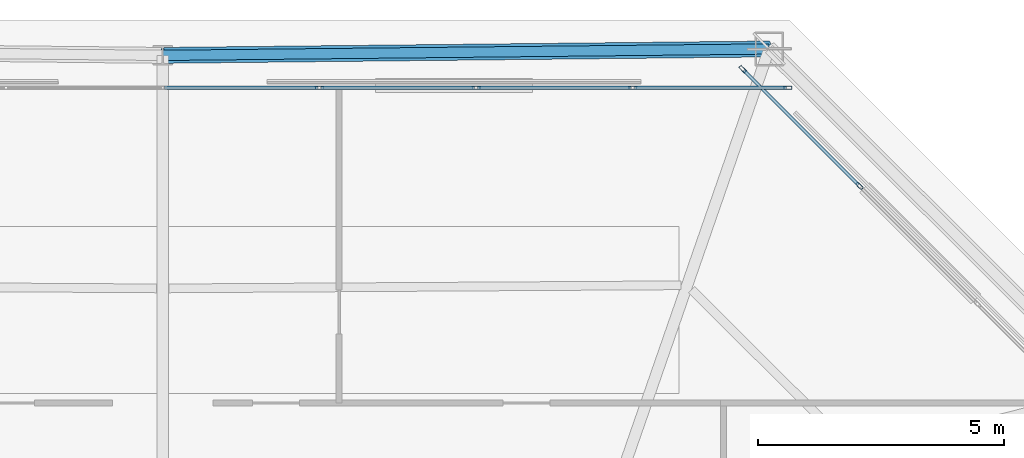
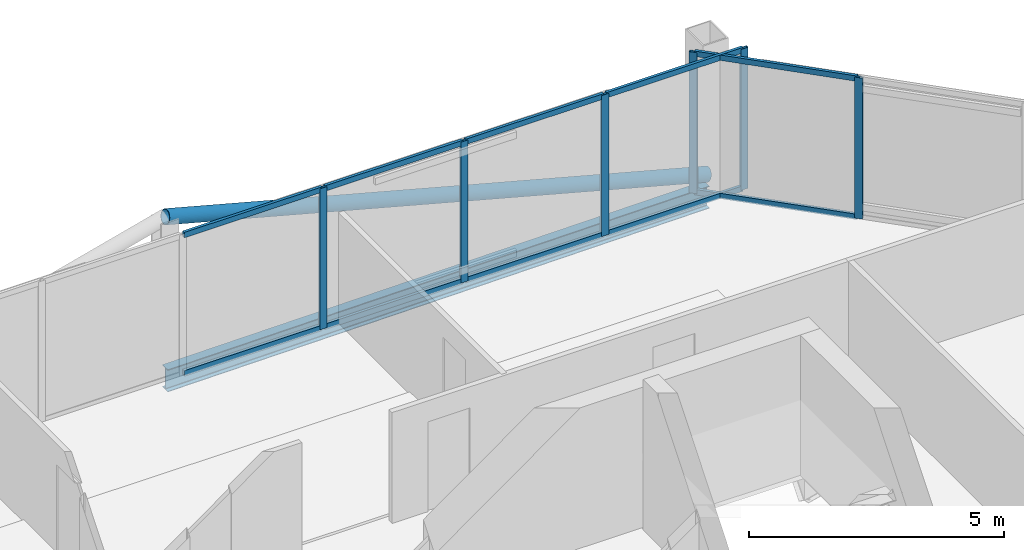
# One storey, part 21 of 26: 17 members, 1 beam, 2 elements without a shape of their own.
"""IFC4 building model written with IfcOpenShell, lengths in metres."""

from ifc_helpers import new_model, si_unit, direction, frame, origin, origin_2d, place, context, subcontext, project, spatial, hollow_rectangle, hollow_circle, i_section, extrude, material, layer, layer_set, material_profile, profile_set, type_object, element, aggregate, save


model = new_model("IFC4")

# Units and contexts
model_context = context("Model", 3, precision=1e-05, world=origin(), true_north=direction((0.0, 1.0)))
body_context = subcontext(model_context, "Body", "Model", "MODEL_VIEW")
ifc_project = project(units=[si_unit("LENGTHUNIT", "METRE"), si_unit("AREAUNIT", "SQUARE_METRE"), si_unit("VOLUMEUNIT", "CUBIC_METRE"), si_unit("PLANEANGLEUNIT", "RADIAN"), si_unit("MASSUNIT", "GRAM", prefix="KILO")], contexts=[model_context])

# Site, building, storey
site_placement = place(None, origin())
site = spatial("IfcSite", under=ifc_project, at=site_placement, CompositionType="ELEMENT")
building_placement = place(site_placement, origin())
building = spatial("IfcBuilding", under=site, at=building_placement, Name="Caelvoria Tower", CompositionType="ELEMENT")
storey_placement = place(building_placement, frame((0.0, 0.0, 239.39990234375)))
storey = spatial("IfcBuildingStorey", under=building, at=storey_placement, Name="L63", CompositionType="ELEMENT", Elevation=239.39990234375)

# Curtain wall, members
ifc_material_1 = material(Name="Anodised Bronze Aluminium and Low-E Glass", Category="aluminium")
ifc_layer = layer(ifc_material_1, 0.175048828125, Name="Anodised Bronze Aluminium and Low-E Glass")
ifc_layer_set = layer_set([ifc_layer], Name="CW System 4 High-Zone Tapered Crystal Facade - Anodised Bronze Aluminium and Low-E Glass")
curtain_wall_type = type_object("IfcCurtainWallType", Name="CW System 4 High-Zone Tapered Crystal Facade", PredefinedType="NOTDEFINED", material=ifc_layer_set)
curtain_wall_1_placement = place(storey_placement, origin())
curtain_wall_1 = element("IfcCurtainWall", 1, at=curtain_wall_1_placement, inside=storey, type_object=curtain_wall_type, Name="CW-04 Curtain Wall L63-E3", PredefinedType="NOTDEFINED")
ifc_material_2 = material(Name="Anodised Bronze Architectural Aluminium", Category="aluminium")
ifc_material_profile_1 = material_profile(ifc_material_2, hollow_rectangle(XDim=0.06494140625, YDim=0.159912109375, WallThickness=0.00390625, at=origin_2d()), Name="Anodised Bronze Architectural Aluminium")
ifc_profile_set_1 = profile_set([ifc_material_profile_1], Name="CW_MULL_65X160 - Anodised Bronze Architectural Aluminium")
member_type_1 = type_object("IfcMemberType", Name="Curtain Wall Mullion 65x160 Bronze Aluminium", PredefinedType="MULLION", material=ifc_profile_set_1)
member_1_placement = place(storey_placement, frame((60.17431640625, 46.82421875, 0.0), z_axis=(0.0, 0.0, 1.0), x_axis=(-0.707106781187, -0.707106781187, 0.0)))
member_1 = element("IfcMember", 2, at=member_1_placement, type_object=member_type_1, Name="CW-04 mullion 3", PredefinedType="MULLION", context=body_context, shape_type="SweptSolid", body=[
    extrude(hollow_rectangle(XDim=0.06494140625, YDim=0.159912109375, WallThickness=0.00390625, at=origin_2d()), origin(), (0.0, 0.0, 1.0), 3.375),
])
member_2_placement = place(storey_placement, frame((57.797119140625, 49.201171875, 0.0), z_axis=(0.0, 0.0, 1.0), x_axis=(-0.707106781187, -0.707106781187, 0.0)))
member_2 = element("IfcMember", 3, at=member_2_placement, type_object=member_type_1, Name="CW-04 mullion 4", PredefinedType="MULLION", context=body_context, shape_type="SweptSolid", body=[
    extrude(hollow_rectangle(XDim=0.06494140625, YDim=0.159912109375, WallThickness=0.00390625, at=origin_2d()), origin(), (0.0, 0.0, 1.0), 3.375),
])

curtain_wall_2_placement = place(storey_placement, origin())
curtain_wall_2 = element("IfcCurtainWall", 4, at=curtain_wall_2_placement, inside=storey, type_object=curtain_wall_type, Name="CW-04 Curtain Wall L63-E4", PredefinedType="NOTDEFINED")
member_3_placement = place(storey_placement, frame((58.717529296875, 48.820068359375, 0.0), z_axis=(0.0, 0.0, 1.0), x_axis=(0.0, -1.0, 0.0)))
member_3 = element("IfcMember", 5, at=member_3_placement, type_object=member_type_1, Name="CW-04 mullion 1", PredefinedType="MULLION", context=body_context, shape_type="SweptSolid", body=[
    extrude(hollow_rectangle(XDim=0.06494140625, YDim=0.159912109375, WallThickness=0.00390625, at=origin_2d()), origin(), (0.0, 0.0, 1.0), 3.375),
])
member_4_placement = place(storey_placement, frame((55.5625, 48.820068359375, 0.0), z_axis=(0.0, 0.0, 1.0), x_axis=(0.0, -1.0, 0.0)))
member_4 = element("IfcMember", 6, at=member_4_placement, type_object=member_type_1, Name="CW-04 mullion 2", PredefinedType="MULLION", context=body_context, shape_type="SweptSolid", body=[
    extrude(hollow_rectangle(XDim=0.06494140625, YDim=0.159912109375, WallThickness=0.00390625, at=origin_2d()), origin(), (0.0, 0.0, 1.0), 3.375),
])
member_5_placement = place(storey_placement, frame((52.375, 48.820068359375, 0.0), z_axis=(0.0, 0.0, 1.0), x_axis=(0.0, -1.0, 0.0)))
member_5 = element("IfcMember", 7, at=member_5_placement, type_object=member_type_1, Name="CW-04 mullion 3", PredefinedType="MULLION", context=body_context, shape_type="SweptSolid", body=[
    extrude(hollow_rectangle(XDim=0.06494140625, YDim=0.159912109375, WallThickness=0.00390625, at=origin_2d()), origin(), (0.0, 0.0, 1.0), 3.375),
])
member_6_placement = place(storey_placement, frame((49.1875, 48.820068359375, 0.0), z_axis=(0.0, 0.0, 1.0), x_axis=(0.0, -1.0, 0.0)))
member_6 = element("IfcMember", 8, at=member_6_placement, type_object=member_type_1, Name="CW-04 mullion 4", PredefinedType="MULLION", context=body_context, shape_type="SweptSolid", body=[
    extrude(hollow_rectangle(XDim=0.06494140625, YDim=0.159912109375, WallThickness=0.00390625, at=origin_2d()), origin(), (0.0, 0.0, 1.0), 3.375),
])

# Member
ifc_material_profile_2 = material_profile(ifc_material_2, hollow_rectangle(XDim=0.06494140625, YDim=0.1298828125, WallThickness=0.00341796875, at=origin_2d()), Name="Anodised Bronze Architectural Aluminium")
ifc_profile_set_2 = profile_set([ifc_material_profile_2], Name="CW_TRAN_65X130 - Anodised Bronze Architectural Aluminium")
member_type_2 = type_object("IfcMemberType", Name="Curtain Wall Transom 65x130 Bronze Aluminium", PredefinedType="USERDEFINED", material=ifc_profile_set_2)
member_7_placement = place(storey_placement, frame((60.151123046875, 46.84716796875, 0.03271484375), z_axis=(-0.707106781187, 0.707106781187, 0.0), x_axis=(-0.707106781187, -0.707106781187, 0.0)))
member_7 = element("IfcMember", 9, at=member_7_placement, type_object=member_type_2, Name="CW-04 transom 3.1", ObjectType="TRANSOM", PredefinedType="USERDEFINED", context=body_context, shape_type="SweptSolid", body=[
    extrude(hollow_rectangle(XDim=0.06494140625, YDim=0.1298828125, WallThickness=0.00341796875, at=origin_2d()), origin(), (0.0, 0.0, 1.0), 3.296630859375),
])

member_8_placement = place(storey_placement, frame((60.151123046875, 46.84716796875, 3.342529296875), z_axis=(-0.707106781187, 0.707106781187, 0.0), x_axis=(-0.707106781187, -0.707106781187, 0.0)))
member_8 = element("IfcMember", 10, at=member_8_placement, type_object=member_type_2, Name="CW-04 transom 3.2", ObjectType="TRANSOM", PredefinedType="USERDEFINED", context=body_context, shape_type="SweptSolid", body=[
    extrude(hollow_rectangle(XDim=0.06494140625, YDim=0.1298828125, WallThickness=0.00341796875, at=origin_2d()), origin(), (0.0, 0.0, 1.0), 3.296630859375),
])

aggregate(curtain_wall_1, [member_1, member_2, member_7, member_8])

member_9_placement = place(storey_placement, frame((58.68505859375, 48.820068359375, 0.03271484375), z_axis=(-1.0, 0.0, 0.0), x_axis=(0.0, -1.0, 0.0)))
member_9 = element("IfcMember", 11, at=member_9_placement, type_object=member_type_2, Name="CW-04 transom 1.1", ObjectType="TRANSOM", PredefinedType="USERDEFINED", context=body_context, shape_type="SweptSolid", body=[
    extrude(hollow_rectangle(XDim=0.06494140625, YDim=0.1298828125, WallThickness=0.00341796875, at=origin_2d()), origin(), (0.0, 0.0, 1.0), 3.090087890625),
])

member_10_placement = place(storey_placement, frame((58.68505859375, 48.820068359375, 3.342529296875), z_axis=(-1.0, 0.0, 0.0), x_axis=(0.0, -1.0, 0.0)))
member_10 = element("IfcMember", 12, at=member_10_placement, type_object=member_type_2, Name="CW-04 transom 1.2", ObjectType="TRANSOM", PredefinedType="USERDEFINED", context=body_context, shape_type="SweptSolid", body=[
    extrude(hollow_rectangle(XDim=0.06494140625, YDim=0.1298828125, WallThickness=0.00341796875, at=origin_2d()), origin(), (0.0, 0.0, 1.0), 3.090087890625),
])

member_11_placement = place(storey_placement, frame((55.530029296875, 48.820068359375, 0.03271484375), z_axis=(-1.0, 0.0, 0.0), x_axis=(0.0, -1.0, 0.0)))
member_11 = element("IfcMember", 13, at=member_11_placement, type_object=member_type_2, Name="CW-04 transom 2.1", ObjectType="TRANSOM", PredefinedType="USERDEFINED", context=body_context, shape_type="SweptSolid", body=[
    extrude(hollow_rectangle(XDim=0.06494140625, YDim=0.1298828125, WallThickness=0.00341796875, at=origin_2d()), origin(), (0.0, 0.0, 1.0), 3.12255859375),
])

member_12_placement = place(storey_placement, frame((55.530029296875, 48.820068359375, 3.342529296875), z_axis=(-1.0, 0.0, 0.0), x_axis=(0.0, -1.0, 0.0)))
member_12 = element("IfcMember", 14, at=member_12_placement, type_object=member_type_2, Name="CW-04 transom 2.2", ObjectType="TRANSOM", PredefinedType="USERDEFINED", context=body_context, shape_type="SweptSolid", body=[
    extrude(hollow_rectangle(XDim=0.06494140625, YDim=0.1298828125, WallThickness=0.00341796875, at=origin_2d()), origin(), (0.0, 0.0, 1.0), 3.12255859375),
])

member_13_placement = place(storey_placement, frame((52.342529296875, 48.820068359375, 0.03271484375), z_axis=(-1.0, 0.0, 0.0), x_axis=(0.0, -1.0, 0.0)))
member_13 = element("IfcMember", 15, at=member_13_placement, type_object=member_type_2, Name="CW-04 transom 3.1", ObjectType="TRANSOM", PredefinedType="USERDEFINED", context=body_context, shape_type="SweptSolid", body=[
    extrude(hollow_rectangle(XDim=0.06494140625, YDim=0.1298828125, WallThickness=0.00341796875, at=origin_2d()), origin(), (0.0, 0.0, 1.0), 3.12255859375),
])

member_14_placement = place(storey_placement, frame((52.342529296875, 48.820068359375, 3.342529296875), z_axis=(-1.0, 0.0, 0.0), x_axis=(0.0, -1.0, 0.0)))
member_14 = element("IfcMember", 16, at=member_14_placement, type_object=member_type_2, Name="CW-04 transom 3.2", ObjectType="TRANSOM", PredefinedType="USERDEFINED", context=body_context, shape_type="SweptSolid", body=[
    extrude(hollow_rectangle(XDim=0.06494140625, YDim=0.1298828125, WallThickness=0.00341796875, at=origin_2d()), origin(), (0.0, 0.0, 1.0), 3.12255859375),
])

member_15_placement = place(storey_placement, frame((49.155029296875, 48.820068359375, 0.03271484375), z_axis=(-1.0, 0.0, 0.0), x_axis=(0.0, -1.0, 0.0)))
member_15 = element("IfcMember", 17, at=member_15_placement, type_object=member_type_2, Name="CW-04 transom 4.1", ObjectType="TRANSOM", PredefinedType="USERDEFINED", context=body_context, shape_type="SweptSolid", body=[
    extrude(hollow_rectangle(XDim=0.06494140625, YDim=0.1298828125, WallThickness=0.00341796875, at=origin_2d()), origin(), (0.0, 0.0, 1.0), 3.12255859375),
])

member_16_placement = place(storey_placement, frame((49.155029296875, 48.820068359375, 3.342529296875), z_axis=(-1.0, 0.0, 0.0), x_axis=(0.0, -1.0, 0.0)))
member_16 = element("IfcMember", 18, at=member_16_placement, type_object=member_type_2, Name="CW-04 transom 4.2", ObjectType="TRANSOM", PredefinedType="USERDEFINED", context=body_context, shape_type="SweptSolid", body=[
    extrude(hollow_rectangle(XDim=0.06494140625, YDim=0.1298828125, WallThickness=0.00341796875, at=origin_2d()), origin(), (0.0, 0.0, 1.0), 3.12255859375),
])

aggregate(curtain_wall_2, [member_3, member_4, member_5, member_6, member_9, member_10, member_11, member_12, member_13, member_14, member_15, member_16])

ifc_material_3 = material(Name="Structural Steel ASTM A572 Gr.50", Category="steel")
ifc_material_profile_3 = material_profile(ifc_material_3, hollow_circle(Radius=0.162109375, WallThickness=0.0126953125, at=origin_2d()), Name="Structural Steel ASTM A572 Gr.50")
ifc_profile_set_3 = profile_set([ifc_material_profile_3], Name="CHS324X12.7 - Structural Steel ASTM A572 Gr.50")
member_type_3 = type_object("IfcMemberType", Name="Summit Perimeter Mega Brace CHS324X12.7", PredefinedType="BRACE", material=ifc_profile_set_3)
member_17_placement = place(storey_placement, frame((58.3369140625, 49.6103515625, 0.0), z_axis=(-0.964507270463, -0.01019248956, 0.263859505004), x_axis=(0.010566971141, -0.999944168002, 0.0)))
element("IfcMember", 19, at=member_17_placement, inside=storey, type_object=member_type_3, Name="Perimeter Cardinal Mega Brace L63 NA", PredefinedType="BRACE", context=body_context, shape_type="SweptSolid", body=[
    extrude(hollow_circle(Radius=0.162109375, WallThickness=0.0126953125, at=origin_2d()), origin(), (0.0, 0.0, 1.0), 12.791015625),
])

# Beam
ifc_material_4 = material(Name="Structural Steel ASTM A992 Gr.50", Category="steel")
ifc_material_profile_4 = material_profile(ifc_material_4, i_section(OverallWidth=0.208984375, OverallDepth=0.532958984375, WebThickness=0.01025390625, FlangeThickness=0.015625, FilletRadius=0.01611328125, at=origin_2d()), Name="Structural Steel ASTM A992 Gr.50")
ifc_profile_set_4 = profile_set([ifc_material_profile_4], Name="W530X92 - Structural Steel ASTM A992 Gr.50")
beam_type = type_object("IfcBeamType", Name="Upper Zone Spandrel W530X92", PredefinedType="BEAM", material=ifc_profile_set_4)
beam_placement = place(storey_placement, frame((58.3369140625, 49.6103515625, -0.491455078125), z_axis=(-0.999944168002, -0.010566971141, 0.0), x_axis=(0.010566971141, -0.999944168002, 0.0)))
element("IfcBeam", 20, at=beam_placement, inside=storey, type_object=beam_type, Name="Perimeter Spandrel Girder L63-06", PredefinedType="BEAM", context=body_context, shape_type="SweptSolid", body=[
    extrude(i_section(OverallWidth=0.208984375, OverallDepth=0.532958984375, WebThickness=0.01025390625, FlangeThickness=0.015625, FilletRadius=0.01611328125, at=origin_2d()), origin(), (0.0, 0.0, 1.0), 12.337646484375),
])

save(model, "model.ifc")
